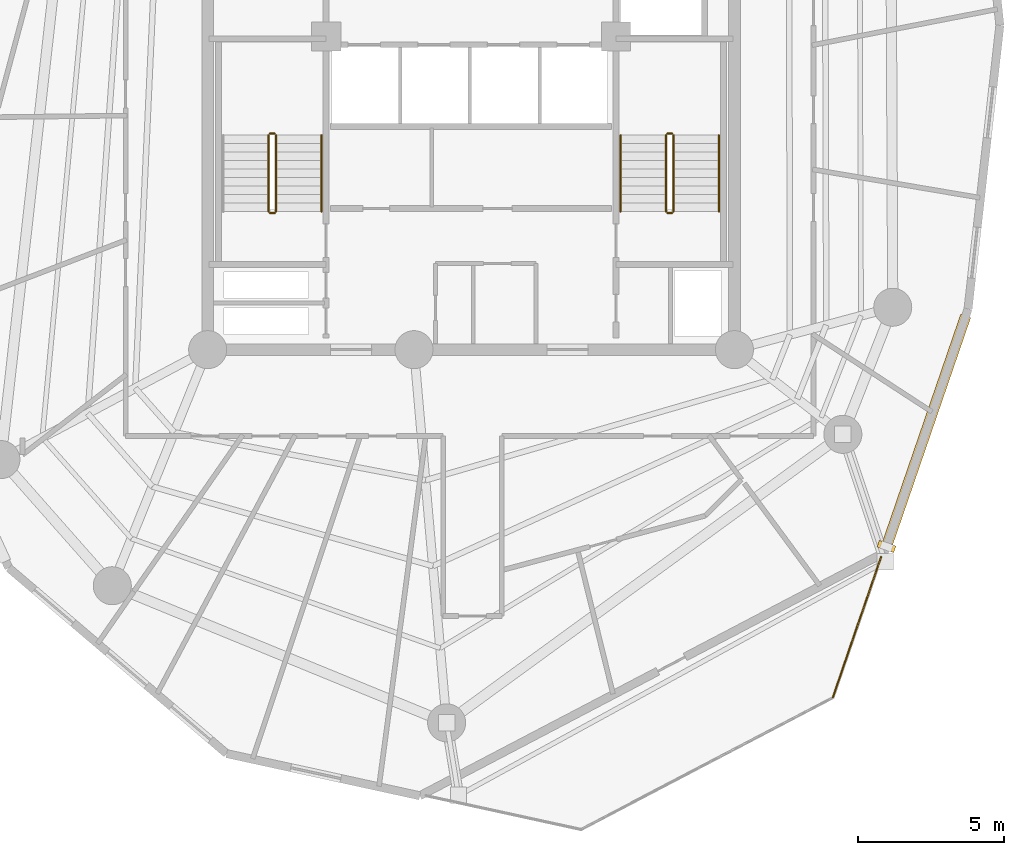
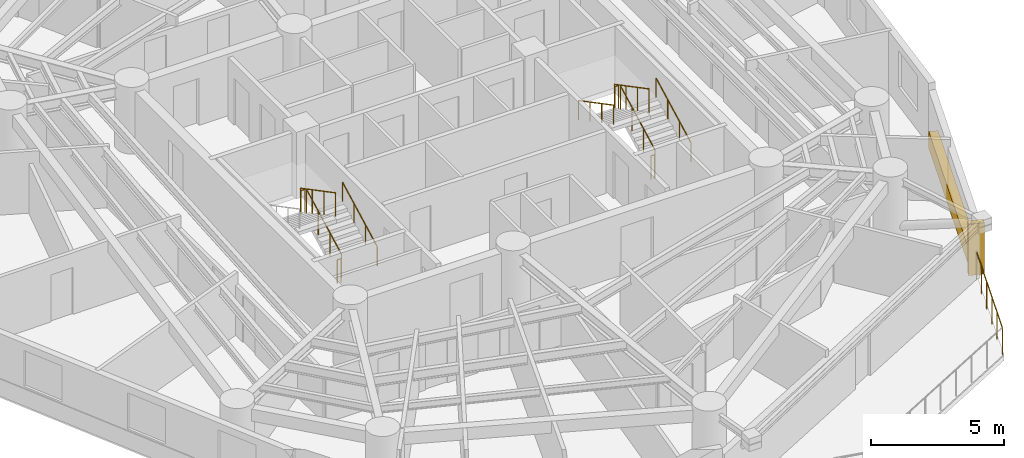
# One storey, part 9 of 10: 12 railings, 1 covering, 1 shading device.
"""IFC4 building model written with IfcOpenShell, lengths in metres."""

from ifc_helpers import new_model, si_unit, direction, frame, origin, origin_with_axes, origin_2d, place, context, subcontext, project, spatial, rectangle, circle, extrude, source, transform, mapped, material, layer, layer_set, type_object, element, save


model = new_model("IFC4")

# Units and contexts
model_context = context("Model", 3, precision=1e-05, world=origin(), true_north=direction((0.0, 1.0)))
body_context = subcontext(model_context, "Body", "Model", "MODEL_VIEW")
ifc_project = project(units=[si_unit("LENGTHUNIT", "METRE"), si_unit("AREAUNIT", "SQUARE_METRE"), si_unit("VOLUMEUNIT", "CUBIC_METRE"), si_unit("PLANEANGLEUNIT", "RADIAN"), si_unit("MASSUNIT", "GRAM", prefix="KILO")], contexts=[model_context])

# Site, building, storey
site_placement = place(None, origin())
site = spatial("IfcSite", under=ifc_project, at=site_placement, CompositionType="ELEMENT")
building_placement = place(site_placement, origin())
building = spatial("IfcBuilding", under=site, at=building_placement, Name="Karkom Vertical University and Central Library", CompositionType="ELEMENT")
storey_placement = place(building_placement, frame((0.0, 0.0, 171.800048828125)))
storey = spatial("IfcBuildingStorey", under=building, at=storey_placement, Name="L49", CompositionType="ELEMENT", Elevation=171.800048828125)

# Railings
ifc_material_1 = material(Name="Architectural painted steel & laminated glass balustrade", Category="steel")
ifc_layer_1 = layer(ifc_material_1, 0.090087890625)
ifc_layer_set_1 = layer_set([ifc_layer_1], Name="Architectural painted steel & laminated glass balustrade")
railing_type_1 = type_object("IfcRailingType", Name="ENV-RL-BAL1300", PredefinedType="BALUSTRADE", material=ifc_layer_set_1)
railing_1_placement = place(storey_placement, frame((42.509765625, 11.21630859375, 0.0)))
element("IfcRailing", 1, at=railing_1_placement, inside=storey, type_object=railing_type_1, Name="Level 49 Planted Terrace Safety Balustrade 03", PredefinedType="BALUSTRADE", context=body_context, shape_type="SweptSolid", body=[
    extrude(circle(Radius=0.02392578125, at=origin_2d()), frame((0.0, 0.0, 1.27587890625), z_axis=(-0.324966745247, -0.9457254435, 0.0), x_axis=(0.9457254435, -0.324966745247, 0.0)), (0.0, 0.0, 1.0), 5.071044921875),
    extrude(circle(Radius=0.02099609375, at=origin_2d()), origin(), (0.0, 0.0, 1.0), 1.251953125),
    extrude(circle(Radius=0.02099609375, at=origin_2d()), frame((-0.32958984375, -0.959228515625, 0.0)), (0.0, 0.0, 1.0), 1.251953125),
    extrude(circle(Radius=0.02099609375, at=origin_2d()), frame((-0.6591796875, -1.91845703125, 0.0)), (0.0, 0.0, 1.0), 1.251953125),
    extrude(circle(Radius=0.02099609375, at=origin_2d()), frame((-0.98876953125, -2.87744140625, 0.0)), (0.0, 0.0, 1.0), 1.251953125),
    extrude(circle(Radius=0.02099609375, at=origin_2d()), frame((-1.318359375, -3.836669921875, 0.0)), (0.0, 0.0, 1.0), 1.251953125),
    extrude(circle(Radius=0.02099609375, at=origin_2d()), frame((-1.64794921875, -4.7958984375, 0.0)), (0.0, 0.0, 1.0), 1.251953125),
])
ifc_material_2 = material(Name="Painted galvanised steel balustrade", Category="steel")
ifc_layer_2 = layer(ifc_material_2, 0.06005859375)
ifc_layer_set_2 = layer_set([ifc_layer_2], Name="Painted galvanised steel balustrade")
railing_type_2 = type_object("IfcRailingType", Name="INT-RL-GUARD1100", PredefinedType="GUARDRAIL", material=ifc_layer_set_2)
railing_2_placement = place(storey_placement, frame((21.840087890625, 23.02001953125, 0.15234375)))
element("IfcRailing", 2, at=railing_2_placement, inside=storey, type_object=railing_type_2, Name="Level 49 ST-1 stair guard 1", PredefinedType="GUARDRAIL", context=body_context, shape_type="SweptSolid", body=[
    extrude(circle(Radius=0.02392578125, at=origin_2d()), frame((0.0, 0.0, 1.076171875), z_axis=(0.0, 0.885065446896, 0.46546659892), x_axis=(-1.0, 0.0, 0.0)), (0.0, 0.0, 1.0), 2.94873046875),
    extrude(circle(Radius=0.02099609375, at=origin_2d()), origin(), (0.0, 0.0, 1.0), 1.052001953125),
    extrude(circle(Radius=0.02099609375, at=origin_2d()), frame((0.0, 0.869873046875, 0.45751953125)), (0.0, 0.0, 1.0), 1.052001953125),
    extrude(circle(Radius=0.02099609375, at=origin_2d()), frame((0.0, 1.739990234375, 0.9150390625)), (0.0, 0.0, 1.0), 1.052001953125),
    extrude(circle(Radius=0.02099609375, at=origin_2d()), frame((0.0, 2.60986328125, 1.37255859375)), (0.0, 0.0, 1.0), 1.052001953125),
])
railing_3_placement = place(storey_placement, frame((21.7900390625, 25.679931640625, 1.52490234375)))
element("IfcRailing", 3, at=railing_3_placement, inside=storey, type_object=railing_type_2, Name="Level 49 ST-1 stair guard 2", PredefinedType="GUARDRAIL", context=body_context, shape_type="SweptSolid", body=[
    extrude(circle(Radius=0.02392578125, at=origin_2d()), frame((0.0, 0.0, 1.076171875), z_axis=(-1.0, 0.0, 0.0), x_axis=(0.0, -1.0, 0.0)), (0.0, 0.0, 1.0), 0.16015625),
    extrude(circle(Radius=0.02099609375, at=origin_2d()), origin(), (0.0, 0.0, 1.0), 1.052001953125),
    extrude(circle(Radius=0.02099609375, at=origin_2d()), frame((-0.16015625, 0.0, 0.0)), (0.0, 0.0, 1.0), 1.052001953125),
])
railing_4_placement = place(storey_placement, frame((21.580078125, 25.6298828125, 1.677490234375)))
element("IfcRailing", 4, at=railing_4_placement, inside=storey, type_object=railing_type_2, Name="Level 49 ST-1 stair guard 3", PredefinedType="GUARDRAIL", context=body_context, shape_type="SweptSolid", body=[
    extrude(circle(Radius=0.02392578125, at=origin_2d()), frame((0.0, 0.0, 1.076171875), z_axis=(0.0, -0.885065446896, 0.46546659892), x_axis=(1.0, 0.0, 0.0)), (0.0, 0.0, 1.0), 2.94873046875),
    extrude(circle(Radius=0.02099609375, at=origin_2d()), origin(), (0.0, 0.0, 1.0), 1.052001953125),
    extrude(circle(Radius=0.02099609375, at=origin_2d()), frame((0.0, -0.869873046875, 0.45751953125)), (0.0, 0.0, 1.0), 1.052001953125),
    extrude(circle(Radius=0.02099609375, at=origin_2d()), frame((0.0, -1.739990234375, 0.9150390625)), (0.0, 0.0, 1.0), 1.052001953125),
    extrude(circle(Radius=0.02099609375, at=origin_2d()), frame((0.0, -2.60986328125, 1.37255859375)), (0.0, 0.0, 1.0), 1.052001953125),
])
railing_5_placement = place(storey_placement, frame((21.7900390625, 22.969970703125, 0.0)))
element("IfcRailing", 5, at=railing_5_placement, inside=storey, type_object=railing_type_2, Name="Level 49 ST-1 stair guard 4", PredefinedType="GUARDRAIL", context=body_context, shape_type="SweptSolid", body=[
    extrude(circle(Radius=0.02392578125, at=origin_2d()), frame((0.0, 0.0, 1.076171875), z_axis=(-1.0, 0.0, 0.0), x_axis=(0.0, -1.0, 0.0)), (0.0, 0.0, 1.0), 0.16015625),
    extrude(circle(Radius=0.02099609375, at=origin_2d()), origin(), (0.0, 0.0, 1.0), 1.052001953125),
    extrude(circle(Radius=0.02099609375, at=origin_2d()), frame((-0.16015625, 0.0, 0.0)), (0.0, 0.0, 1.0), 1.052001953125),
])
railing_6_placement = place(storey_placement, frame((35.419921875, 23.02001953125, 0.15234375)))
element("IfcRailing", 6, at=railing_6_placement, inside=storey, type_object=railing_type_2, Name="Level 49 ST-2 stair guard 1", PredefinedType="GUARDRAIL", context=body_context, shape_type="SweptSolid", body=[
    extrude(circle(Radius=0.02392578125, at=origin_2d()), frame((0.0, 0.0, 1.076171875), z_axis=(0.0, 0.885065446896, 0.46546659892), x_axis=(-1.0, 0.0, 0.0)), (0.0, 0.0, 1.0), 2.94873046875),
    extrude(circle(Radius=0.02099609375, at=origin_2d()), origin(), (0.0, 0.0, 1.0), 1.052001953125),
    extrude(circle(Radius=0.02099609375, at=origin_2d()), frame((0.0, 0.869873046875, 0.45751953125)), (0.0, 0.0, 1.0), 1.052001953125),
    extrude(circle(Radius=0.02099609375, at=origin_2d()), frame((0.0, 1.739990234375, 0.9150390625)), (0.0, 0.0, 1.0), 1.052001953125),
    extrude(circle(Radius=0.02099609375, at=origin_2d()), frame((0.0, 2.60986328125, 1.37255859375)), (0.0, 0.0, 1.0), 1.052001953125),
])
railing_7_placement = place(storey_placement, frame((35.3701171875, 25.679931640625, 1.52490234375)))
element("IfcRailing", 7, at=railing_7_placement, inside=storey, type_object=railing_type_2, Name="Level 49 ST-2 stair guard 2", PredefinedType="GUARDRAIL", context=body_context, shape_type="SweptSolid", body=[
    extrude(circle(Radius=0.02392578125, at=origin_2d()), frame((0.0, 0.0, 1.076171875), z_axis=(-1.0, 0.0, 0.0), x_axis=(0.0, -1.0, 0.0)), (0.0, 0.0, 1.0), 0.16015625),
    extrude(circle(Radius=0.02099609375, at=origin_2d()), origin(), (0.0, 0.0, 1.0), 1.052001953125),
    extrude(circle(Radius=0.02099609375, at=origin_2d()), frame((-0.16015625, 0.0, 0.0)), (0.0, 0.0, 1.0), 1.052001953125),
])
railing_8_placement = place(storey_placement, frame((35.159912109375, 25.6298828125, 1.677490234375)))
element("IfcRailing", 8, at=railing_8_placement, inside=storey, type_object=railing_type_2, Name="Level 49 ST-2 stair guard 3", PredefinedType="GUARDRAIL", context=body_context, shape_type="SweptSolid", body=[
    extrude(circle(Radius=0.02392578125, at=origin_2d()), frame((0.0, 0.0, 1.076171875), z_axis=(0.0, -0.885065446896, 0.46546659892), x_axis=(1.0, 0.0, 0.0)), (0.0, 0.0, 1.0), 2.94873046875),
    extrude(circle(Radius=0.02099609375, at=origin_2d()), origin(), (0.0, 0.0, 1.0), 1.052001953125),
    extrude(circle(Radius=0.02099609375, at=origin_2d()), frame((0.0, -0.869873046875, 0.45751953125)), (0.0, 0.0, 1.0), 1.052001953125),
    extrude(circle(Radius=0.02099609375, at=origin_2d()), frame((0.0, -1.739990234375, 0.9150390625)), (0.0, 0.0, 1.0), 1.052001953125),
    extrude(circle(Radius=0.02099609375, at=origin_2d()), frame((0.0, -2.60986328125, 1.37255859375)), (0.0, 0.0, 1.0), 1.052001953125),
])
railing_9_placement = place(storey_placement, frame((35.3701171875, 22.969970703125, 0.0)))
element("IfcRailing", 9, at=railing_9_placement, inside=storey, type_object=railing_type_2, Name="Level 49 ST-2 stair guard 4", PredefinedType="GUARDRAIL", context=body_context, shape_type="SweptSolid", body=[
    extrude(circle(Radius=0.02392578125, at=origin_2d()), frame((0.0, 0.0, 1.076171875), z_axis=(-1.0, 0.0, 0.0), x_axis=(0.0, -1.0, 0.0)), (0.0, 0.0, 1.0), 0.16015625),
    extrude(circle(Radius=0.02099609375, at=origin_2d()), origin(), (0.0, 0.0, 1.0), 1.052001953125),
    extrude(circle(Radius=0.02099609375, at=origin_2d()), frame((-0.16015625, 0.0, 0.0)), (0.0, 0.0, 1.0), 1.052001953125),
])
ifc_material_3 = material(Name="Brushed stainless-steel tubular handrail", Category="steel")
ifc_layer_3 = layer(ifc_material_3, 0.048095703125)
ifc_layer_set_3 = layer_set([ifc_layer_3], Name="Brushed stainless-steel tubular handrail")
railing_type_3 = type_object("IfcRailingType", Name="INT-RL-HAND920", PredefinedType="HANDRAIL", material=ifc_layer_set_3)
for number, where, name in (
    (10, (23.389892578125, 23.02001953125, 0.15234375), "Level 49 ST-1 stair handrail 1"),
    (11, (36.969970703125, 23.02001953125, 0.15234375), "Level 49 ST-2 stair handrail 1"),
):
    element("IfcRailing", number, at=place(storey_placement, frame(where)), inside=storey, type_object=railing_type_3, Name=name, PredefinedType="HANDRAIL", context=body_context, shape_type="SweptSolid", body=[
        extrude(circle(Radius=0.02392578125, at=origin_2d()), frame((0.0, 0.0, 0.8759765625), z_axis=(0.0, 0.885065446896, 0.46546659892), x_axis=(-1.0, 0.0, 0.0)), (0.0, 0.0, 1.0), 2.94873046875),
        extrude(circle(Radius=0.02099609375, at=origin_2d()), origin(), (0.0, 0.0, 1.0), 0.851806640625),
        extrude(circle(Radius=0.02099609375, at=origin_2d()), frame((0.0, 0.869873046875, 0.45751953125)), (0.0, 0.0, 1.0), 0.851806640625),
        extrude(circle(Radius=0.02099609375, at=origin_2d()), frame((0.0, 1.739990234375, 0.9150390625)), (0.0, 0.0, 1.0), 0.851806640625),
        extrude(circle(Radius=0.02099609375, at=origin_2d()), frame((0.0, 2.60986328125, 1.37255859375)), (0.0, 0.0, 1.0), 0.851806640625),
    ])
railing_10_placement = place(storey_placement, frame((33.610107421875, 25.6298828125, 1.677490234375)))
element("IfcRailing", 12, at=railing_10_placement, inside=storey, type_object=railing_type_3, Name="Level 49 ST-2 stair handrail 2", PredefinedType="HANDRAIL", context=body_context, shape_type="SweptSolid", body=[
    extrude(circle(Radius=0.02392578125, at=origin_2d()), frame((0.0, 0.0, 0.8759765625), z_axis=(0.0, -0.885065446896, 0.46546659892), x_axis=(1.0, 0.0, 0.0)), (0.0, 0.0, 1.0), 2.94873046875),
    extrude(circle(Radius=0.02099609375, at=origin_2d()), origin(), (0.0, 0.0, 1.0), 0.851806640625),
    extrude(circle(Radius=0.02099609375, at=origin_2d()), frame((0.0, -0.869873046875, 0.45751953125)), (0.0, 0.0, 1.0), 0.851806640625),
    extrude(circle(Radius=0.02099609375, at=origin_2d()), frame((0.0, -1.739990234375, 0.9150390625)), (0.0, 0.0, 1.0), 0.851806640625),
    extrude(circle(Radius=0.02099609375, at=origin_2d()), frame((0.0, -2.60986328125, 1.37255859375)), (0.0, 0.0, 1.0), 0.851806640625),
])

# Shading device
ifc_material_4 = material(Name="Terracotta-clad precast concrete sun-breaker fin C45/55", Category="masonry")
shading_device_type = type_object("IfcShadingDeviceType", Name="ENV-SHD-BRISE", PredefinedType="USERDEFINED", material=ifc_material_4)
shared_shape_1 = source(origin_with_axes(), body_context, "Body", "SweptSolid", [
    extrude(rectangle(XDim=0.239990234375, YDim=0.60009765625, at=origin_2d()), origin(), (0.0, 0.0, 1.0), 2.35009765625),
])
shading_device_placement = place(storey_placement, frame((42.696533203125, 11.5751953125, 0.0), z_axis=(0.0, 0.0, 1.0), x_axis=(0.32490797868, 0.945745634613, 0.0)))
element("IfcShadingDevice", 13, at=shading_device_placement, inside=storey, type_object=shading_device_type, Name="Level 49 Brutalist Brise-Soleil Fin 05", ObjectType="BRISE SOLEIL", PredefinedType="USERDEFINED", context=body_context, shape_type="MappedRepresentation", body=[
    mapped(shared_shape_1, transform((0.0, 0.0, 0.0), scale=1.0)),
])

# Covering
ifc_material_5 = material(Name="Hand-pressed red-ochre terracotta brick slip cladding", Category="masonry")
ifc_layer_4 = layer(ifc_material_5, 0.090087890625)
ifc_layer_set_4 = layer_set([ifc_layer_4], Name="Hand-pressed red-ochre terracotta brick slip cladding")
covering_type = type_object("IfcCoveringType", Name="ENV-COV-CLAD", PredefinedType="CLADDING", material=ifc_layer_set_4)
shared_shape_2 = source(origin_with_axes(), body_context, "Body", "SweptSolid", [
    extrude(rectangle(XDim=8.2958984375, YDim=0.360107421875, at=origin_2d()), origin(), (0.0, 0.0, 1.0), 0.780029296875),
])
covering_placement = place(storey_placement, frame((44.05419921875, 15.526611328125, 0.0), z_axis=(0.0, 0.0, 1.0), x_axis=(0.32490797868, 0.945745634613, 0.0)))
element("IfcCovering", 14, at=covering_placement, inside=storey, type_object=covering_type, Name="Level 49 Terracotta Spandrel Cladding 05", PredefinedType="CLADDING", context=body_context, shape_type="MappedRepresentation", body=[
    mapped(shared_shape_2, transform((0.0, 0.0, 0.0), scale=1.0)),
])

save(model, "model.ifc")
